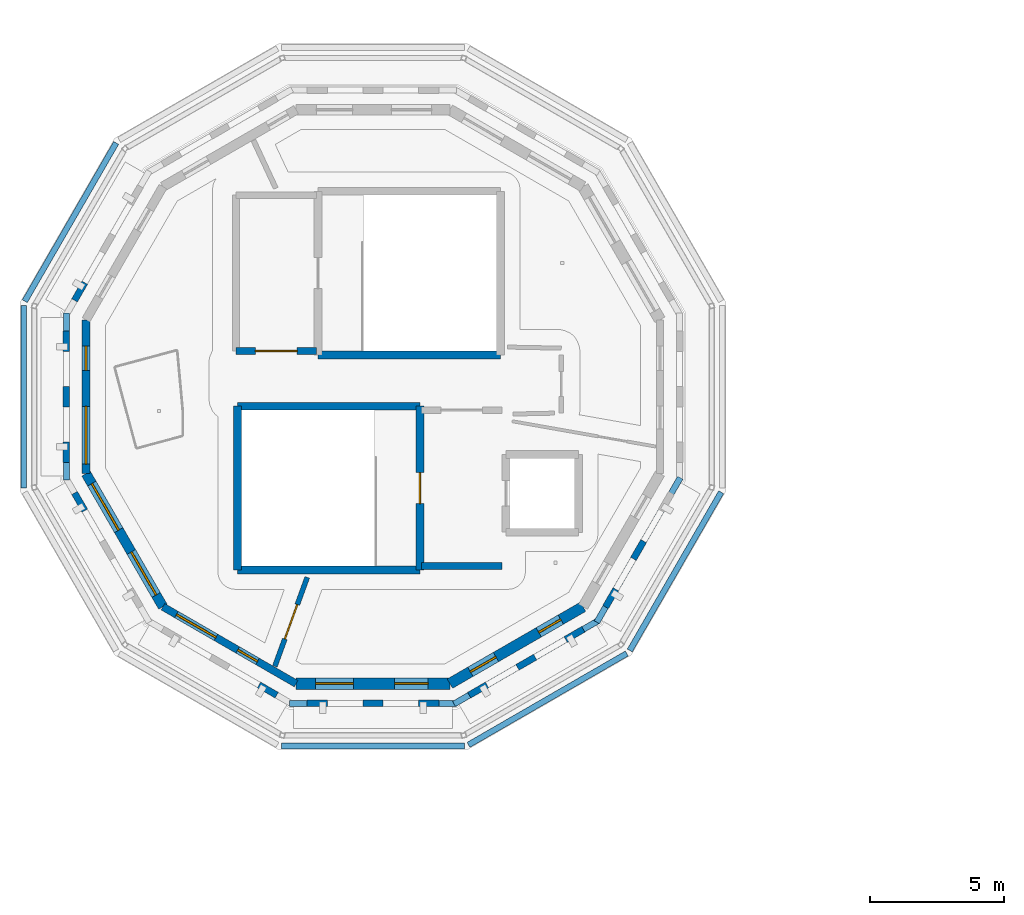
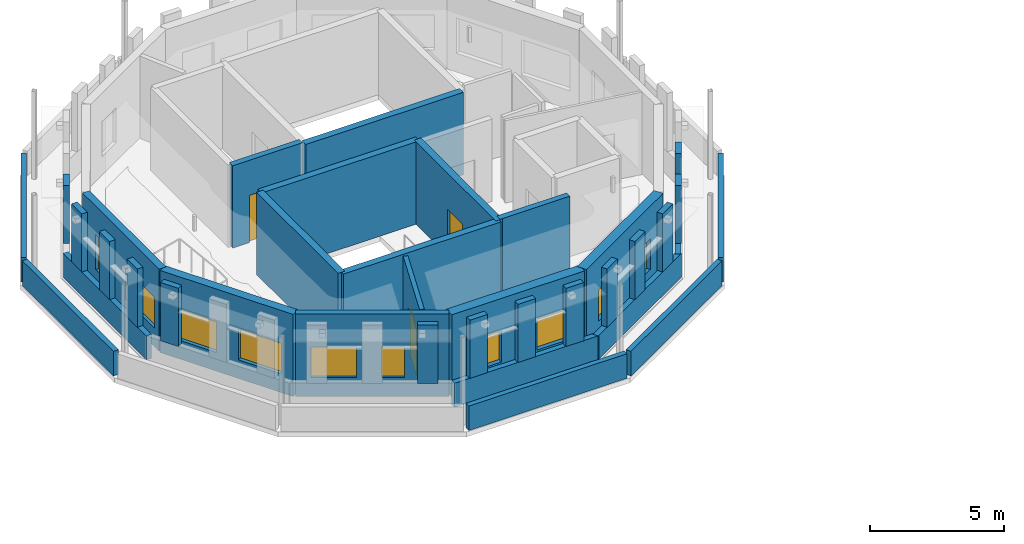
# One storey, part 36 of 51: 36 walls, 10 windows, 3 doors, 13 openings.
"""IFC4 building model written with IfcOpenShell, lengths in metres."""

from ifc_helpers import new_model, si_unit, direction, frame, frame_2d, origin, place, context, subcontext, project, spatial, rectangle, extrude, material, layer, layer_set, type_object, element, fill, save


model = new_model("IFC4")

# Units and contexts
model_context = context("Model", 3, precision=1e-05, world=origin(), true_north=direction((0.0, 1.0)))
body_context = subcontext(model_context, "Body", "Model", "MODEL_VIEW")
ifc_project = project(units=[si_unit("LENGTHUNIT", "METRE"), si_unit("AREAUNIT", "SQUARE_METRE"), si_unit("VOLUMEUNIT", "CUBIC_METRE"), si_unit("PLANEANGLEUNIT", "RADIAN"), si_unit("MASSUNIT", "GRAM", prefix="KILO")], contexts=[model_context])

# Site, building, storey
site_placement = place(None, origin())
site = spatial("IfcSite", under=ifc_project, at=site_placement, CompositionType="ELEMENT")
building_placement = place(site_placement, origin())
building = spatial("IfcBuilding", under=site, at=building_placement, Name="Wrenclough Park School", CompositionType="ELEMENT")
storey_placement = place(building_placement, frame((0.0, 0.0, 16.800048828125)))
storey = spatial("IfcBuildingStorey", under=building, at=storey_placement, Name="L04", CompositionType="ELEMENT", Elevation=16.800048828125)

# Walls
ifc_material_1 = material(Name="Perforated open-bond Staffordshire and Manchester brick screen pier", Category="masonry")
ifc_layer_1 = layer(ifc_material_1, 0.2451171875)
ifc_layer_set_1 = layer_set([ifc_layer_1], Name="Perforated open-bond Staffordshire and Manchester brick screen pier")
wall_type_1 = type_object("IfcWallType", Name="ENV-BS-PR245", PredefinedType="ELEMENTEDWALL", material=ifc_layer_set_1)
for number, where, z_axis, x_axis, name in (
    (1, (5.7724609375, 93.741455078125, 1.08984375), (0.0, 0.0, 1.0), (-0.500111695708, -0.865960906633, 0.0), "D3 L04 perforated brick screen pier 0898"),
    (2, (5.0888671875, 91.950439453125, 1.08984375), (0.0, 0.0, 1.0), (0.0, -1.0, 0.0), "D3 L04 perforated brick screen pier 0899"),
):
    element("IfcWall", number, at=place(storey_placement, frame(where, z_axis=z_axis, x_axis=x_axis)), inside=storey, type_object=wall_type_1, Name=name, PredefinedType="ELEMENTEDWALL", context=body_context, shape_type="SweptSolid", body=[
        extrude(rectangle(XDim=0.760009765625, YDim=0.2451171875, at=frame_2d((0.3798828125, 0.0))), origin(), (0.0, 0.0, 1.0), 2.650146484375),
    ])
wall_1_placement = place(storey_placement, frame((5.0888671875, 89.8798828125, 1.08984375), z_axis=(0.0, 0.0, 1.0), x_axis=(0.0, -1.0, 0.0)))
element("IfcWall", 3, at=wall_1_placement, inside=storey, type_object=wall_type_1, Name="D3 L04 perforated brick screen pier 0900", PredefinedType="ELEMENTEDWALL", context=body_context, shape_type="SweptSolid", body=[
    extrude(rectangle(XDim=0.759765625, YDim=0.2451171875, at=frame_2d((0.3798828125, 0.0))), origin(), (0.0, 0.0, 1.0), 2.650146484375),
])
for number, where, z_axis, x_axis, name in (
    (4, (5.0888671875, 87.8095703125, 1.08984375), (0.0, 0.0, 1.0), (0.0, -1.0, 0.0), "D3 L04 perforated brick screen pier 0901"),
    (5, (5.392333984375, 85.916748046875, 1.08984375), (0.0, 0.0, 1.0), (0.500111695708, -0.865960906633, 0.0), "D3 L04 perforated brick screen pier 0902"),
    (6, (12.258544921875, 78.7724609375, 1.08984375), (0.0, 0.0, 1.0), (0.865960906633, -0.500111695708, 0.0), "D3 L04 perforated brick screen pier 0907"),
    (7, (14.049560546875, 78.0888671875, 1.08984375), (0.0, 0.0, 1.0), (1.0, 0.0, 0.0), "D3 L04 perforated brick screen pier 0908"),
):
    element("IfcWall", number, at=place(storey_placement, frame(where, z_axis=z_axis, x_axis=x_axis)), inside=storey, type_object=wall_type_1, Name=name, PredefinedType="ELEMENTEDWALL", context=body_context, shape_type="SweptSolid", body=[
        extrude(rectangle(XDim=0.760009765625, YDim=0.2451171875, at=frame_2d((0.3798828125, 0.0))), origin(), (0.0, 0.0, 1.0), 2.650146484375),
    ])
wall_2_placement = place(storey_placement, frame((16.1201171875, 78.0888671875, 1.08984375), z_axis=(0.0, 0.0, 1.0), x_axis=(1.0, 0.0, 0.0)))
element("IfcWall", 8, at=wall_2_placement, inside=storey, type_object=wall_type_1, Name="D3 L04 perforated brick screen pier 0909", PredefinedType="ELEMENTEDWALL", context=body_context, shape_type="SweptSolid", body=[
    extrude(rectangle(XDim=0.759765625, YDim=0.2451171875, at=frame_2d((0.3798828125, 0.0))), origin(), (0.0, 0.0, 1.0), 2.650146484375),
])
for number, where, z_axis, x_axis, name in (
    (9, (18.1904296875, 78.0888671875, 1.08984375), (0.0, 0.0, 1.0), (1.0, 0.0, 0.0), "D3 L04 perforated brick screen pier 0910"),
    (10, (20.083251953125, 78.392333984375, 1.08984375), (0.0, 0.0, 1.0), (0.865960906633, 0.500111695708, 0.0), "D3 L04 perforated brick screen pier 0911"),
    (11, (21.87646484375, 79.427734375, 1.08984375), (0.0, 0.0, 1.0), (0.866100000774, 0.49987077196, 0.0), "D3 L04 perforated brick screen pier 0912"),
    (12, (23.669677734375, 80.462890625, 1.08984375), (0.0, 0.0, 1.0), (0.865960906633, 0.500111695708, 0.0), "D3 L04 perforated brick screen pier 0913"),
    (13, (25.156982421875, 81.672119140625, 1.08984375), (0.0, 0.0, 1.0), (0.500111695708, 0.865960906633, 0.0), "D3 L04 perforated brick screen pier 0914"),
    (14, (26.1923828125, 83.46533203125, 1.08984375), (0.0, 0.0, 1.0), (0.49987077196, 0.866100000774, 0.0), "D3 L04 perforated brick screen pier 0915"),
):
    element("IfcWall", number, at=place(storey_placement, frame(where, z_axis=z_axis, x_axis=x_axis)), inside=storey, type_object=wall_type_1, Name=name, PredefinedType="ELEMENTEDWALL", context=body_context, shape_type="SweptSolid", body=[
        extrude(rectangle(XDim=0.760009765625, YDim=0.2451171875, at=frame_2d((0.3798828125, 0.0))), origin(), (0.0, 0.0, 1.0), 2.650146484375),
    ])
ifc_material_2 = material(Name="Open-bond Manchester multi-stock brick spandrel screen", Category="masonry")
ifc_layer_2 = layer(ifc_material_2, 0.22509765625)
ifc_layer_set_2 = layer_set([ifc_layer_2], Name="Open-bond Manchester multi-stock brick spandrel screen")
wall_type_2 = type_object("IfcWallType", Name="ENV-BS-SP225", PredefinedType="ELEMENTEDWALL", material=ifc_layer_set_2)
for number, where, z_axis, x_axis, name in (
    (15, (5.0888671875, 92.605712890625, 0.0), (0.0, 0.0, 1.0), (0.0, -1.0, 0.0), "D3 L04 open-bond brick screen spandrel 0245"),
    (16, (13.394287109375, 78.0888671875, 0.0), (0.0, 0.0, 1.0), (1.0, 0.0, 0.0), "D3 L04 open-bond brick screen spandrel 0248"),
):
    element("IfcWall", number, at=place(storey_placement, frame(where, z_axis=z_axis, x_axis=x_axis)), inside=storey, type_object=wall_type_2, Name=name, PredefinedType="ELEMENTEDWALL", context=body_context, shape_type="SweptSolid", body=[
        extrude(rectangle(XDim=6.21142578125, YDim=0.22509765625, at=frame_2d((3.105712890625, 0.0))), origin(), (0.0, 0.0, 1.0), 1.08984375),
    ])
for number, where, z_axis, x_axis, name in (
    (17, (19.515869140625, 78.064697265625, 0.0), (0.0, 0.0, 1.0), (0.866014100123, 0.500019578005, 0.0), "D3 L04 open-bond brick screen spandrel 0249"),
    (18, (24.829345703125, 81.104736328125, 0.0), (0.0, 0.0, 1.0), (0.500019578005, 0.866014100123, 0.0), "D3 L04 open-bond brick screen spandrel 0250"),
):
    element("IfcWall", number, at=place(storey_placement, frame(where, z_axis=z_axis, x_axis=x_axis)), inside=storey, type_object=wall_type_2, Name=name, PredefinedType="ELEMENTEDWALL", context=body_context, shape_type="SweptSolid", body=[
        extrude(rectangle(XDim=6.211669921875, YDim=0.22509765625, at=frame_2d((3.10595703125, 0.0))), origin(), (0.0, 0.0, 1.0), 1.08984375),
    ])

# Wall, openings, windows
ifc_material_3 = material(Name="Link wing brick-faced cavity wall Concrete C32/40", Category="masonry")
ifc_layer_3 = layer(ifc_material_3, 0.27490234375)
ifc_layer_set_3 = layer_set([ifc_layer_3], Name="Link wing brick-faced cavity wall Concrete C32/40")
wall_type_3 = type_object("IfcWallType", Name="ENV-EW-275", PredefinedType="SOLIDWALL", material=ifc_layer_set_3)
wall_3_placement = place(storey_placement, frame((13.638427734375, 78.82080078125, 0.0), z_axis=(0.0, 0.0, 1.0), x_axis=(-0.866010818647, 0.500025261348, 0.0)))
wall_3 = element("IfcWall", 19, at=wall_3_placement, inside=storey, type_object=wall_type_3, Name="L04 insulated brick external wall 0382", PredefinedType="SOLIDWALL", context=body_context, shape_type="SweptSolid", body=[
    extrude(rectangle(XDim=5.722900390625, YDim=0.27490234375, at=frame_2d((2.861328125, 0.0))), origin(), (0.0, 0.0, 1.0), 3.739990234375),
])
opening_1_placement = place(wall_3_placement, frame((1.661376953125, 0.0, 0.85009765625)))
opening_1 = element("IfcOpeningElement", 20, at=opening_1_placement, cuts=wall_3, Name="Opening WN-01", PredefinedType="OPENING", context=body_context, shape_type="SweptSolid", body=[
    extrude(rectangle(XDim=0.85009765625, YDim=1.39990234375, at=frame_2d((0.425048828125, 0.699951171875))), frame((0.0, 0.1474609375, 0.0), z_axis=(0.0, -1.0, 0.0), x_axis=(1.0, 0.0, 0.0)), (0.0, 0.0, 1.0), 0.294921875),
])
opening_2_placement = place(wall_3_placement, frame((3.442138671875, 0.0, 0.85009765625)))
opening_2 = element("IfcOpeningElement", 21, at=opening_2_placement, cuts=wall_3, Name="Opening WN-07", PredefinedType="OPENING", context=body_context, shape_type="SweptSolid", body=[
    extrude(rectangle(XDim=1.699951171875, YDim=1.39990234375, at=frame_2d((0.85009765625, 0.699951171875))), frame((0.0, 0.1474609375, 0.0), z_axis=(0.0, -1.0, 0.0), x_axis=(1.0, 0.0, 0.0)), (0.0, 0.0, 1.0), 0.294921875),
])
ifc_material_4 = material(Name="Thermally broken aluminium and double-glazed low-e glass", Category="aluminium")
window_type_1 = type_object("IfcWindowType", Name="ENV-WN-01", PartitioningType="SINGLE_PANEL", PredefinedType="WINDOW", material=ifc_material_4)
window_1_placement = place(opening_1_placement, origin())
window_1 = element("IfcWindow", 22, at=window_1_placement, inside=storey, type_object=window_type_1, Name="L04 scheduled facade window 0621", OverallHeight=1.39990234375, OverallWidth=0.85009765625, PartitioningType="SINGLE_PANEL", PredefinedType="WINDOW", context=body_context, shape_type="SweptSolid", body=[
    extrude(rectangle(XDim=0.85009765625, YDim=1.39990234375, at=frame_2d((0.425048828125, 0.699951171875))), frame((0.0, 0.030029296875, 0.0), z_axis=(0.0, -1.0, 0.0), x_axis=(1.0, 0.0, 0.0)), (0.0, 0.0, 1.0), 0.06005859375),
])
fill(opening_1, window_1)
window_type_2 = type_object("IfcWindowType", Name="ENV-WN-07", PartitioningType="DOUBLE_PANEL_VERTICAL", PredefinedType="WINDOW", material=ifc_material_4)
window_2_placement = place(opening_2_placement, origin())
window_2 = element("IfcWindow", 23, at=window_2_placement, inside=storey, type_object=window_type_2, Name="L04 scheduled facade window 0622", OverallHeight=1.39990234375, OverallWidth=1.699951171875, PartitioningType="SINGLE_PANEL", PredefinedType="WINDOW", context=body_context, shape_type="SweptSolid", body=[
    extrude(rectangle(XDim=1.699951171875, YDim=1.39990234375, at=frame_2d((0.85009765625, 0.699951171875))), frame((0.0, 0.030029296875, 0.0), z_axis=(0.0, -1.0, 0.0), x_axis=(1.0, 0.0, 0.0)), (0.0, 0.0, 1.0), 0.06005859375),
])
fill(opening_2, window_2)

ifc_material_5 = material(Name="Manchester multi-stock brick and Concrete C32/40 inner leaf", Category="masonry")
ifc_layer_4 = layer(ifc_material_5, 0.300048828125)
ifc_layer_set_4 = layer_set([ifc_layer_4], Name="Manchester multi-stock brick and Concrete C32/40 inner leaf")
wall_type_4 = type_object("IfcWallType", Name="ENV-EW-300", PredefinedType="SOLIDWALL", material=ifc_layer_set_4)
wall_4_placement = place(storey_placement, frame((5.82080078125, 86.638427734375, 0.0), z_axis=(0.0, 0.0, 1.0), x_axis=(0.0, 1.0, 0.0)))
wall_4 = element("IfcWall", 24, at=wall_4_placement, inside=storey, type_object=wall_type_4, Name="L04 insulated brick external wall 0384", PredefinedType="SOLIDWALL", context=body_context, shape_type="SweptSolid", body=[
    extrude(rectangle(XDim=5.72314453125, YDim=0.300048828125, at=frame_2d((2.861572265625, 0.0))), origin(), (0.0, 0.0, 1.0), 3.739990234375),
])
opening_3_placement = place(wall_4_placement, frame((0.355712890625, 0.0, 0.85009765625)))
opening_3 = element("IfcOpeningElement", 25, at=opening_3_placement, cuts=wall_4, Name="Opening WN-10", PredefinedType="OPENING", context=body_context, shape_type="SweptSolid", body=[
    extrude(rectangle(XDim=2.14990234375, YDim=1.39990234375, at=frame_2d((1.074951171875, 0.699951171875))), frame((0.0, 0.159912109375, 0.0), z_axis=(0.0, -1.0, 0.0), x_axis=(1.0, 0.0, 0.0)), (0.0, 0.0, 1.0), 0.320068359375),
])
opening_4_placement = place(wall_4_placement, frame((3.84228515625, 0.0, 0.85009765625)))
opening_4 = element("IfcOpeningElement", 26, at=opening_4_placement, cuts=wall_4, Name="Opening WN-13", PredefinedType="OPENING", context=body_context, shape_type="SweptSolid", body=[
    extrude(rectangle(XDim=0.89990234375, YDim=1.60009765625, at=frame_2d((0.449951171875, 0.800048828125))), frame((0.0, 0.159912109375, 0.0), z_axis=(0.0, -1.0, 0.0), x_axis=(1.0, 0.0, 0.0)), (0.0, 0.0, 1.0), 0.320068359375),
])
window_type_3 = type_object("IfcWindowType", Name="ENV-WN-10", PartitioningType="DOUBLE_PANEL_VERTICAL", PredefinedType="WINDOW", material=ifc_material_4)
window_3_placement = place(opening_3_placement, origin())
window_3 = element("IfcWindow", 27, at=window_3_placement, inside=storey, type_object=window_type_3, Name="L04 scheduled facade window 0625", OverallHeight=1.39990234375, OverallWidth=2.14990234375, PartitioningType="SINGLE_PANEL", PredefinedType="WINDOW", context=body_context, shape_type="SweptSolid", body=[
    extrude(rectangle(XDim=2.14990234375, YDim=1.39990234375, at=frame_2d((1.074951171875, 0.699951171875))), frame((0.0, 0.030029296875, 0.0), z_axis=(0.0, -1.0, 0.0), x_axis=(1.0, 0.0, 0.0)), (0.0, 0.0, 1.0), 0.06005859375),
])
fill(opening_3, window_3)
window_type_4 = type_object("IfcWindowType", Name="ENV-WN-13", PartitioningType="SINGLE_PANEL", PredefinedType="WINDOW", material=ifc_material_4)
window_4_placement = place(opening_4_placement, origin())
window_4 = element("IfcWindow", 28, at=window_4_placement, inside=storey, type_object=window_type_4, Name="L04 scheduled facade window 0626", OverallHeight=1.60009765625, OverallWidth=0.89990234375, PartitioningType="SINGLE_PANEL", PredefinedType="WINDOW", context=body_context, shape_type="SweptSolid", body=[
    extrude(rectangle(XDim=0.89990234375, YDim=1.60009765625, at=frame_2d((0.449951171875, 0.800048828125))), frame((0.0, 0.030029296875, 0.0), z_axis=(0.0, -1.0, 0.0), x_axis=(1.0, 0.0, 0.0)), (0.0, 0.0, 1.0), 0.06005859375),
])
fill(opening_4, window_4)

ifc_material_6 = material(Name="Faceted courtyard brick-cavity wall Concrete C35/45", Category="masonry")
ifc_layer_5 = layer(ifc_material_6, 0.364990234375)
ifc_layer_set_5 = layer_set([ifc_layer_5], Name="Faceted courtyard brick-cavity wall Concrete C35/45")
wall_type_5 = type_object("IfcWallType", Name="ENV-EW-365", PredefinedType="SOLIDWALL", material=ifc_layer_set_5)
wall_5_placement = place(storey_placement, frame((8.682373046875, 81.682373046875, 0.0), z_axis=(0.0, 0.0, 1.0), x_axis=(-0.500025261348, 0.866010818647, 0.0)))
wall_5 = element("IfcWall", 29, at=wall_5_placement, inside=storey, type_object=wall_type_5, Name="L04 insulated brick external wall 0383", PredefinedType="SOLIDWALL", context=body_context, shape_type="SweptSolid", body=[
    extrude(rectangle(XDim=5.722900390625, YDim=0.364990234375, at=frame_2d((2.861328125, 0.0))), origin(), (0.0, 0.0, 1.0), 3.739990234375),
])
opening_5_placement = place(wall_5_placement, frame((0.505615234375, 0.0, 0.85009765625)))
opening_5 = element("IfcOpeningElement", 30, at=opening_5_placement, cuts=wall_5, Name="Opening WN-08", PredefinedType="OPENING", context=body_context, shape_type="SweptSolid", body=[
    extrude(rectangle(XDim=1.85009765625, YDim=1.39990234375, at=frame_2d((0.925048828125, 0.699951171875))), frame((0.0, 0.1923828125, 0.0), z_axis=(0.0, -1.0, 0.0), x_axis=(1.0, 0.0, 0.0)), (0.0, 0.0, 1.0), 0.385009765625),
])
opening_6_placement = place(wall_5_placement, frame((3.292236328125, 0.0, 0.85009765625)))
opening_6 = element("IfcOpeningElement", 31, at=opening_6_placement, cuts=wall_5, Name="Opening WN-09", PredefinedType="OPENING", context=body_context, shape_type="SweptSolid", body=[
    extrude(rectangle(XDim=2.0, YDim=1.39990234375, at=frame_2d((1.0, 0.699951171875))), frame((0.0, 0.1923828125, 0.0), z_axis=(0.0, -1.0, 0.0), x_axis=(1.0, 0.0, 0.0)), (0.0, 0.0, 1.0), 0.385009765625),
])
window_type_5 = type_object("IfcWindowType", Name="ENV-WN-08", PartitioningType="DOUBLE_PANEL_VERTICAL", PredefinedType="WINDOW", material=ifc_material_4)
window_5_placement = place(opening_5_placement, origin())
window_5 = element("IfcWindow", 32, at=window_5_placement, inside=storey, type_object=window_type_5, Name="L04 scheduled facade window 0623", OverallHeight=1.39990234375, OverallWidth=1.85009765625, PartitioningType="SINGLE_PANEL", PredefinedType="WINDOW", context=body_context, shape_type="SweptSolid", body=[
    extrude(rectangle(XDim=1.85009765625, YDim=1.39990234375, at=frame_2d((0.925048828125, 0.699951171875))), frame((0.0, 0.030029296875, 0.0), z_axis=(0.0, -1.0, 0.0), x_axis=(1.0, 0.0, 0.0)), (0.0, 0.0, 1.0), 0.06005859375),
])
fill(opening_5, window_5)
window_type_6 = type_object("IfcWindowType", Name="ENV-WN-09", PartitioningType="DOUBLE_PANEL_VERTICAL", PredefinedType="WINDOW", material=ifc_material_4)
window_6_placement = place(opening_6_placement, origin())
window_6 = element("IfcWindow", 33, at=window_6_placement, inside=storey, type_object=window_type_6, Name="L04 scheduled facade window 0624", OverallHeight=1.39990234375, OverallWidth=2.0, PartitioningType="SINGLE_PANEL", PredefinedType="WINDOW", context=body_context, shape_type="SweptSolid", body=[
    extrude(rectangle(XDim=2.0, YDim=1.39990234375, at=frame_2d((1.0, 0.699951171875))), frame((0.0, 0.030029296875, 0.0), z_axis=(0.0, -1.0, 0.0), x_axis=(1.0, 0.0, 0.0)), (0.0, 0.0, 1.0), 0.06005859375),
])
fill(opening_6, window_6)

ifc_material_7 = material(Name="Staffordshire blue-grey brick and Concrete C40/50 acoustic leaf", Category="masonry")
ifc_layer_6 = layer(ifc_material_7, 0.39990234375)
ifc_layer_set_6 = layer_set([ifc_layer_6], Name="Staffordshire blue-grey brick and Concrete C40/50 acoustic leaf")
wall_type_6 = type_object("IfcWallType", Name="ENV-EW-400", PredefinedType="SOLIDWALL", material=ifc_layer_set_6)
wall_6_placement = place(storey_placement, frame((24.317626953125, 81.682373046875, 0.0), z_axis=(0.0, 0.0, 1.0), x_axis=(-0.866010818647, -0.500025261348, 0.0)))
wall_6 = element("IfcWall", 34, at=wall_6_placement, inside=storey, type_object=wall_type_6, Name="L04 insulated brick external wall 0380", PredefinedType="SOLIDWALL", context=body_context, shape_type="SweptSolid", body=[
    extrude(rectangle(XDim=5.722900390625, YDim=0.39990234375, at=frame_2d((2.861328125, 0.0))), origin(), (0.0, 0.0, 1.0), 3.739990234375),
])
opening_7_placement = place(wall_6_placement, frame((0.955810546875, 0.0, 0.85009765625)))
opening_7 = element("IfcOpeningElement", 35, at=opening_7_placement, cuts=wall_6, Name="Opening WN-02", PredefinedType="OPENING", context=body_context, shape_type="SweptSolid", body=[
    extrude(rectangle(XDim=0.949951171875, YDim=1.39990234375, at=frame_2d((0.47509765625, 0.699951171875))), frame((0.0, 0.2099609375, 0.0), z_axis=(0.0, -1.0, 0.0), x_axis=(1.0, 0.0, 0.0)), (0.0, 0.0, 1.0), 0.419921875),
])
opening_8_placement = place(wall_6_placement, frame((3.7421875, 0.0, 0.85009765625)))
opening_8 = element("IfcOpeningElement", 36, at=opening_8_placement, cuts=wall_6, Name="Opening WN-03", PredefinedType="OPENING", context=body_context, shape_type="SweptSolid", body=[
    extrude(rectangle(XDim=1.10009765625, YDim=1.39990234375, at=frame_2d((0.550048828125, 0.699951171875))), frame((0.0, 0.2099609375, 0.0), z_axis=(0.0, -1.0, 0.0), x_axis=(1.0, 0.0, 0.0)), (0.0, 0.0, 1.0), 0.419921875),
])
window_type_7 = type_object("IfcWindowType", Name="ENV-WN-02", PartitioningType="SINGLE_PANEL", PredefinedType="WINDOW", material=ifc_material_4)
window_7_placement = place(opening_7_placement, origin())
window_7 = element("IfcWindow", 37, at=window_7_placement, inside=storey, type_object=window_type_7, Name="L04 scheduled facade window 0617", OverallHeight=1.39990234375, OverallWidth=0.949951171875, PartitioningType="SINGLE_PANEL", PredefinedType="WINDOW", context=body_context, shape_type="SweptSolid", body=[
    extrude(rectangle(XDim=0.949951171875, YDim=1.39990234375, at=frame_2d((0.47509765625, 0.699951171875))), frame((0.0, 0.030029296875, 0.0), z_axis=(0.0, -1.0, 0.0), x_axis=(1.0, 0.0, 0.0)), (0.0, 0.0, 1.0), 0.06005859375),
])
fill(opening_7, window_7)
window_type_8 = type_object("IfcWindowType", Name="ENV-WN-03", PartitioningType="SINGLE_PANEL", PredefinedType="WINDOW", material=ifc_material_4)
window_8_placement = place(opening_8_placement, origin())
window_8 = element("IfcWindow", 38, at=window_8_placement, inside=storey, type_object=window_type_8, Name="L04 scheduled facade window 0618", OverallHeight=1.39990234375, OverallWidth=1.10009765625, PartitioningType="SINGLE_PANEL", PredefinedType="WINDOW", context=body_context, shape_type="SweptSolid", body=[
    extrude(rectangle(XDim=1.10009765625, YDim=1.39990234375, at=frame_2d((0.550048828125, 0.699951171875))), frame((0.0, 0.030029296875, 0.0), z_axis=(0.0, -1.0, 0.0), x_axis=(1.0, 0.0, 0.0)), (0.0, 0.0, 1.0), 0.06005859375),
])
fill(opening_8, window_8)

ifc_material_8 = material(Name="Insulated brick-clad sports hall wall Concrete C40/50", Category="masonry")
ifc_layer_7 = layer(ifc_material_8, 0.425048828125)
ifc_layer_set_7 = layer_set([ifc_layer_7], Name="Insulated brick-clad sports hall wall Concrete C40/50")
wall_type_7 = type_object("IfcWallType", Name="ENV-EW-425", PredefinedType="SOLIDWALL", material=ifc_layer_set_7)
wall_7_placement = place(storey_placement, frame((19.361572265625, 78.82080078125, 0.0), z_axis=(0.0, 0.0, 1.0), x_axis=(-1.0, 0.0, 0.0)))
wall_7 = element("IfcWall", 39, at=wall_7_placement, inside=storey, type_object=wall_type_7, Name="L04 insulated brick external wall 0381", PredefinedType="SOLIDWALL", context=body_context, shape_type="SweptSolid", body=[
    extrude(rectangle(XDim=5.72314453125, YDim=0.425048828125, at=frame_2d((2.861572265625, 0.0))), origin(), (0.0, 0.0, 1.0), 3.739990234375),
])
opening_9_placement = place(wall_7_placement, frame((0.8056640625, 0.0, 0.85009765625)))
opening_9 = element("IfcOpeningElement", 40, at=opening_9_placement, cuts=wall_7, Name="Opening WN-04", PredefinedType="OPENING", context=body_context, shape_type="SweptSolid", body=[
    extrude(rectangle(XDim=1.25, YDim=1.39990234375, at=frame_2d((0.625, 0.699951171875))), frame((0.0, 0.222412109375, 0.0), z_axis=(0.0, -1.0, 0.0), x_axis=(1.0, 0.0, 0.0)), (0.0, 0.0, 1.0), 0.445068359375),
])
opening_10_placement = place(wall_7_placement, frame((3.59228515625, 0.0, 0.85009765625)))
opening_10 = element("IfcOpeningElement", 41, at=opening_10_placement, cuts=wall_7, Name="Opening WN-05", PredefinedType="OPENING", context=body_context, shape_type="SweptSolid", body=[
    extrude(rectangle(XDim=1.39990234375, YDim=1.39990234375, at=frame_2d((0.699951171875, 0.699951171875))), frame((0.0, 0.222412109375, 0.0), z_axis=(0.0, -1.0, 0.0), x_axis=(1.0, 0.0, 0.0)), (0.0, 0.0, 1.0), 0.445068359375),
])
window_type_9 = type_object("IfcWindowType", Name="ENV-WN-04", PartitioningType="SINGLE_PANEL", PredefinedType="WINDOW", material=ifc_material_4)
window_9_placement = place(opening_9_placement, origin())
window_9 = element("IfcWindow", 42, at=window_9_placement, inside=storey, type_object=window_type_9, Name="L04 scheduled facade window 0619", OverallHeight=1.39990234375, OverallWidth=1.25, PartitioningType="SINGLE_PANEL", PredefinedType="WINDOW", context=body_context, shape_type="SweptSolid", body=[
    extrude(rectangle(XDim=1.25, YDim=1.39990234375, at=frame_2d((0.625, 0.699951171875))), frame((0.0, 0.030029296875, 0.0), z_axis=(0.0, -1.0, 0.0), x_axis=(1.0, 0.0, 0.0)), (0.0, 0.0, 1.0), 0.06005859375),
])
fill(opening_9, window_9)
window_type_10 = type_object("IfcWindowType", Name="ENV-WN-05", PartitioningType="SINGLE_PANEL", PredefinedType="WINDOW", material=ifc_material_4)
window_10_placement = place(opening_10_placement, origin())
window_10 = element("IfcWindow", 43, at=window_10_placement, inside=storey, type_object=window_type_10, Name="L04 scheduled facade window 0620", OverallHeight=1.39990234375, OverallWidth=1.39990234375, PartitioningType="SINGLE_PANEL", PredefinedType="WINDOW", context=body_context, shape_type="SweptSolid", body=[
    extrude(rectangle(XDim=1.39990234375, YDim=1.39990234375, at=frame_2d((0.699951171875, 0.699951171875))), frame((0.0, 0.030029296875, 0.0), z_axis=(0.0, -1.0, 0.0), x_axis=(1.0, 0.0, 0.0)), (0.0, 0.0, 1.0), 0.06005859375),
])
fill(opening_10, window_10)

# Walls
ifc_material_9 = material(Name="Capped Staffordshire blue-grey brick parapet", Category="masonry")
ifc_layer_8 = layer(ifc_material_9, 0.215087890625)
ifc_layer_set_8 = layer_set([ifc_layer_8], Name="Capped Staffordshire blue-grey brick parapet")
wall_type_8 = type_object("IfcWallType", Name="ENV-PW-215", PredefinedType="PARAPET", material=ifc_layer_set_8)
for number, where, z_axis, x_axis, name in (
    (44, (6.9423828125, 98.944091796875, 0.0), (0.0, 0.0, 1.0), (-0.499992841449, -0.866029536736, 0.0), "D3-STEP-ROOF cylindrical drum parapet wall 035"),
    (45, (3.5009765625, 92.89990234375, 0.0), (0.0, 0.0, 1.0), (0.0, -1.0, 0.0), "D3-STEP-ROOF cylindrical drum parapet wall 036"),
    (46, (13.10009765625, 76.5009765625, 0.0), (0.0, 0.0, 1.0), (1.0, 0.0, 0.0), "D3-STEP-ROOF cylindrical drum parapet wall 039"),
    (47, (20.05517578125, 76.54248046875, 0.0), (0.0, 0.0, 1.0), (0.866029536736, 0.499992841449, 0.0), "D3-STEP-ROOF cylindrical drum parapet wall 040"),
    (48, (26.0576171875, 80.055908203125, 0.0), (0.0, 0.0, 1.0), (0.499992841449, 0.866029536736, 0.0), "D3-STEP-ROOF cylindrical drum parapet wall 041"),
):
    element("IfcWall", number, at=place(storey_placement, frame(where, z_axis=z_axis, x_axis=x_axis)), inside=storey, type_object=wall_type_8, Name=name, PredefinedType="PARAPET", context=body_context, shape_type="SweptSolid", body=[
        extrude(rectangle(XDim=6.7998046875, YDim=0.215087890625, at=frame_2d((3.39990234375, 0.0))), origin(), (0.0, 0.0, 1.0), 1.119873046875),
    ])
ifc_material_10 = material(Name="Concrete C35/45", Category="concrete")
ifc_layer_9 = layer(ifc_material_10, 0.25)
ifc_layer_set_9 = layer_set([ifc_layer_9], Name="Concrete C35/45")
wall_type_9 = type_object("IfcWallType", Name="INT-CW-250", PredefinedType="SHEAR", material=ifc_layer_set_9)
wall_8_placement = place(storey_placement, frame((18.300048828125, 83.199951171875, 0.0), z_axis=(0.0, 0.0, 1.0), x_axis=(1.0, 0.0, 0.0)))
element("IfcWall", 49, at=wall_8_placement, inside=storey, type_object=wall_type_9, Name="Core C3 L04 lobby fire wall south", PredefinedType="SHEAR", context=body_context, shape_type="SweptSolid", body=[
    extrude(rectangle(XDim=3.0, YDim=0.25, at=frame_2d((1.5, 0.0))), origin(), (0.0, 0.0, 1.0), 3.75),
])

# Wall, opening, door
wall_9_placement = place(storey_placement, frame((11.39990234375, 91.199951171875, 0.0), z_axis=(0.0, 0.0, 1.0), x_axis=(1.0, 0.0, 0.0)))
wall_9 = element("IfcWall", 50, at=wall_9_placement, inside=storey, type_object=wall_type_9, Name="Core C3B L04 lobby fire wall south", PredefinedType="SHEAR", context=body_context, shape_type="SweptSolid", body=[
    extrude(rectangle(XDim=3.0, YDim=0.25, at=frame_2d((1.5, 0.0))), origin(), (0.0, 0.0, 1.0), 3.75),
])
opening_11_placement = place(wall_9_placement, frame((0.72509765625, 0.0, 0.0)))
opening_11 = element("IfcOpeningElement", 51, at=opening_11_placement, cuts=wall_9, Name="Opening DLB-C3B-L04", PredefinedType="OPENING", context=body_context, shape_type="SweptSolid", body=[
    extrude(rectangle(XDim=1.550048828125, YDim=2.14990234375, at=frame_2d((0.77490234375, 1.074951171875))), frame((0.0, 0.135009765625, 0.0), z_axis=(0.0, -1.0, 0.0), x_axis=(1.0, 0.0, 0.0)), (0.0, 0.0, 1.0), 0.27001953125),
])
ifc_material_11 = material(Name="Protected stair lobby double fire door assembly", Category="wood")
door_type_1 = type_object("IfcDoorType", Name="INT-DR-LB155", OperationType="NOTDEFINED", PredefinedType="DOOR", material=ifc_material_11)
door_1_placement = place(opening_11_placement, origin())
door_1 = element("IfcDoor", 52, at=door_1_placement, inside=storey, type_object=door_type_1, Name="Core C3B L04 protected lobby fire door", OperationType="DOUBLE_DOOR_SINGLE_SWING", OverallHeight=2.14990234375, OverallWidth=1.550048828125, PredefinedType="DOOR", context=body_context, shape_type="SweptSolid", body=[
    extrude(rectangle(XDim=1.550048828125, YDim=2.14990234375, at=frame_2d((0.77490234375, 1.074951171875))), frame((0.0, 0.02490234375, 0.0), z_axis=(0.0, -1.0, 0.0), x_axis=(1.0, 0.0, 0.0)), (0.0, 0.0, 1.0), 0.050048828125),
])
fill(opening_11, door_1)

# Wall
ifc_material_12 = material(Name="Concrete C40/50", Category="concrete")
ifc_layer_10 = layer(ifc_material_12, 0.2900390625)
ifc_layer_set_10 = layer_set([ifc_layer_10], Name="Concrete C40/50")
wall_type_10 = type_object("IfcWallType", Name="INT-CW-290", PredefinedType="SHEAR", material=ifc_layer_set_10)
wall_10_placement = place(storey_placement, frame((11.455078125, 83.054931640625, 0.0), z_axis=(0.0, 0.0, 1.0), x_axis=(1.0, 0.0, 0.0)))
element("IfcWall", 53, at=wall_10_placement, inside=storey, type_object=wall_type_10, Name="Core C3 L04 south shear wall", PredefinedType="SHEAR", context=body_context, shape_type="SweptSolid", body=[
    extrude(rectangle(XDim=6.7900390625, YDim=0.2900390625, at=frame_2d((3.39501953125, 0.0))), origin(), (0.0, 0.0, 1.0), 3.75),
])

# Wall, opening, door
wall_11_placement = place(storey_placement, frame((18.2451171875, 83.054931640625, 0.0), z_axis=(0.0, 0.0, 1.0), x_axis=(0.0, 1.0, 0.0)))
wall_11 = element("IfcWall", 54, at=wall_11_placement, inside=storey, type_object=wall_type_10, Name="Core C3 L04 east shear wall", PredefinedType="SHEAR", context=body_context, shape_type="SweptSolid", body=[
    extrude(rectangle(XDim=6.090087890625, YDim=0.2900390625, at=frame_2d((3.044921875, 0.0))), origin(), (0.0, 0.0, 1.0), 3.75),
])
opening_12_placement = place(wall_11_placement, frame((2.469970703125, 0.0, 0.0)))
opening_12 = element("IfcOpeningElement", 55, at=opening_12_placement, cuts=wall_11, Name="Opening DST-C3-L04", PredefinedType="OPENING", context=body_context, shape_type="SweptSolid", body=[
    extrude(rectangle(XDim=1.14990234375, YDim=2.10009765625, at=frame_2d((0.574951171875, 1.050048828125))), frame((0.0, 0.155029296875, 0.0), z_axis=(0.0, -1.0, 0.0), x_axis=(1.0, 0.0, 0.0)), (0.0, 0.0, 1.0), 0.31005859375),
])
ifc_material_13 = material(Name="Protected escape stair single fire door assembly", Category="wood")
door_type_2 = type_object("IfcDoorType", Name="INT-DR-ST115", OperationType="NOTDEFINED", PredefinedType="DOOR", material=ifc_material_13)
door_2_placement = place(opening_12_placement, origin())
door_2 = element("IfcDoor", 56, at=door_2_placement, inside=storey, type_object=door_type_2, Name="Stair ST-03 L04 fire door", OperationType="SINGLE_SWING_LEFT", OverallHeight=2.10009765625, OverallWidth=1.14990234375, PredefinedType="DOOR", context=body_context, shape_type="SweptSolid", body=[
    extrude(rectangle(XDim=1.14990234375, YDim=2.10009765625, at=frame_2d((0.574951171875, 1.050048828125))), frame((0.0, 0.02490234375, 0.0), z_axis=(0.0, -1.0, 0.0), x_axis=(1.0, 0.0, 0.0)), (0.0, 0.0, 1.0), 0.050048828125),
])
fill(opening_12, door_2)

# Walls
wall_12_placement = place(storey_placement, frame((18.2451171875, 89.14501953125, 0.0), z_axis=(0.0, 0.0, 1.0), x_axis=(-1.0, 0.0, 0.0)))
element("IfcWall", 57, at=wall_12_placement, inside=storey, type_object=wall_type_10, Name="Core C3 L04 north shear wall", PredefinedType="SHEAR", context=body_context, shape_type="SweptSolid", body=[
    extrude(rectangle(XDim=6.7900390625, YDim=0.2900390625, at=frame_2d((3.39501953125, 0.0))), origin(), (0.0, 0.0, 1.0), 3.75),
])
wall_13_placement = place(storey_placement, frame((11.455078125, 89.14501953125, 0.0), z_axis=(0.0, 0.0, 1.0), x_axis=(0.0, -1.0, 0.0)))
element("IfcWall", 58, at=wall_13_placement, inside=storey, type_object=wall_type_10, Name="Core C3 L04 west shear wall", PredefinedType="SHEAR", context=body_context, shape_type="SweptSolid", body=[
    extrude(rectangle(XDim=6.090087890625, YDim=0.2900390625, at=frame_2d((3.044921875, 0.0))), origin(), (0.0, 0.0, 1.0), 3.75),
])
wall_14_placement = place(storey_placement, frame((14.455078125, 91.054931640625, 0.0), z_axis=(0.0, 0.0, 1.0), x_axis=(1.0, 0.0, 0.0)))
element("IfcWall", 59, at=wall_14_placement, inside=storey, type_object=wall_type_10, Name="Core C3B L04 south shear wall", PredefinedType="SHEAR", context=body_context, shape_type="SweptSolid", body=[
    extrude(rectangle(XDim=6.7900390625, YDim=0.2900390625, at=frame_2d((3.39501953125, 0.0))), origin(), (0.0, 0.0, 1.0), 3.75),
])

# Wall, opening, door
ifc_material_14 = material(Name="Laboratory fire and acoustic partition", Category="gypsum")
ifc_layer_11 = layer(ifc_material_14, 0.18505859375)
ifc_layer_set_11 = layer_set([ifc_layer_11], Name="Laboratory fire and acoustic partition")
wall_type_11 = type_object("IfcWallType", Name="INT-PW-185", PredefinedType="PARTITIONING", material=ifc_layer_set_11)
wall_15_placement = place(storey_placement, frame((12.84765625, 79.465087890625, 0.0), z_axis=(0.0, 0.0, 1.0), x_axis=(0.341998852178, 0.939700369857, 0.0)))
wall_15 = element("IfcWall", 60, at=wall_15_placement, inside=storey, type_object=wall_type_11, Name="L04 internal partition 0493", PredefinedType="PARTITIONING", context=body_context, shape_type="SweptSolid", body=[
    extrude(rectangle(XDim=3.525146484375, YDim=0.18505859375, at=frame_2d((1.7626953125, 0.0))), origin(), (0.0, 0.0, 1.0), 3.75),
])
opening_13_placement = place(wall_15_placement, frame((1.08251953125, 0.0, 0.0)))
opening_13 = element("IfcOpeningElement", 61, at=opening_13_placement, cuts=wall_15, Name="Opening DR-L04-104", PredefinedType="OPENING", context=body_context, shape_type="SweptSolid", body=[
    extrude(rectangle(XDim=1.360107421875, YDim=2.139892578125, at=frame_2d((0.68017578125, 1.06982421875))), frame((0.0, 0.1025390625, 0.0), z_axis=(0.0, -1.0, 0.0), x_axis=(1.0, 0.0, 0.0)), (0.0, 0.0, 1.0), 0.205078125),
])
ifc_material_15 = material(Name="Senior science laboratory leaf-and-a-half door assembly", Category="wood")
door_type_3 = type_object("IfcDoorType", Name="INT-DR-LAB136", OperationType="NOTDEFINED", PredefinedType="DOOR", material=ifc_material_15)
door_3_placement = place(opening_13_placement, origin())
door_3 = element("IfcDoor", 62, at=door_3_placement, inside=storey, type_object=door_type_3, Name="Senior Engineering Science Laboratory door DR-L04-104", OperationType="SINGLE_SWING_LEFT", OverallHeight=2.139892578125, OverallWidth=1.360107421875, PredefinedType="DOOR", context=body_context, shape_type="SweptSolid", body=[
    extrude(rectangle(XDim=1.360107421875, YDim=2.139892578125, at=frame_2d((0.68017578125, 1.06982421875))), frame((0.0, 0.02490234375, 0.0), z_axis=(0.0, -1.0, 0.0), x_axis=(1.0, 0.0, 0.0)), (0.0, 0.0, 1.0), 0.050048828125),
])
fill(opening_13, door_3)

save(model, "model.ifc")
